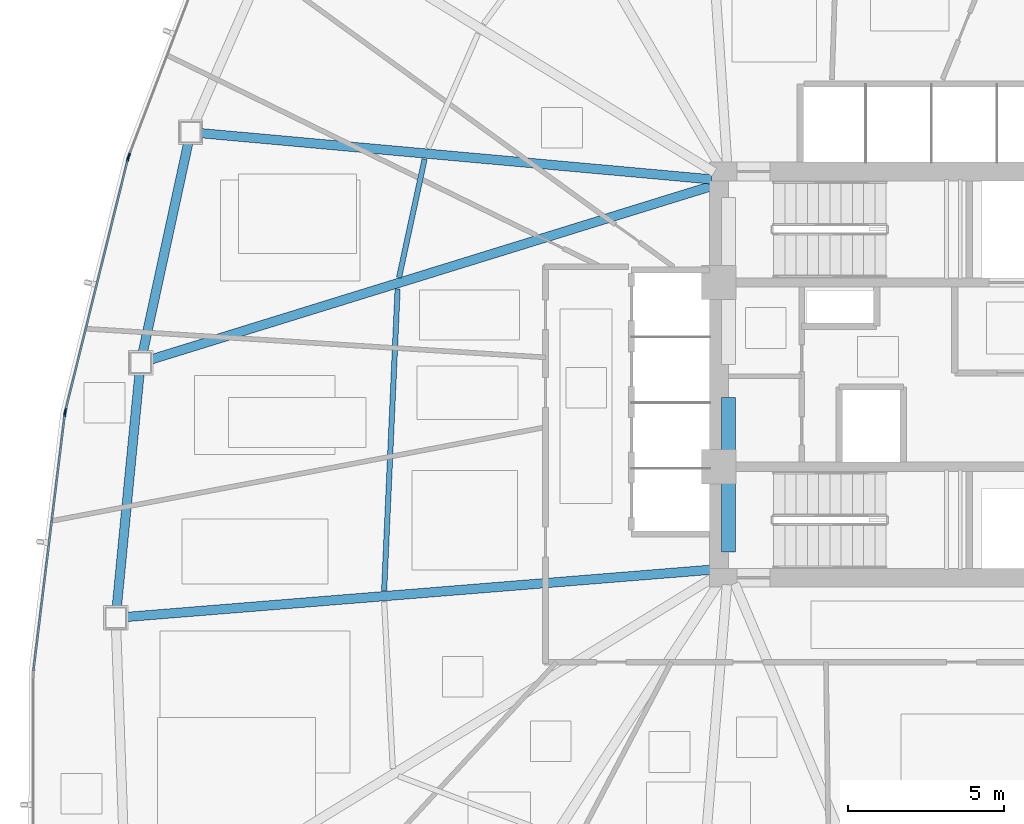
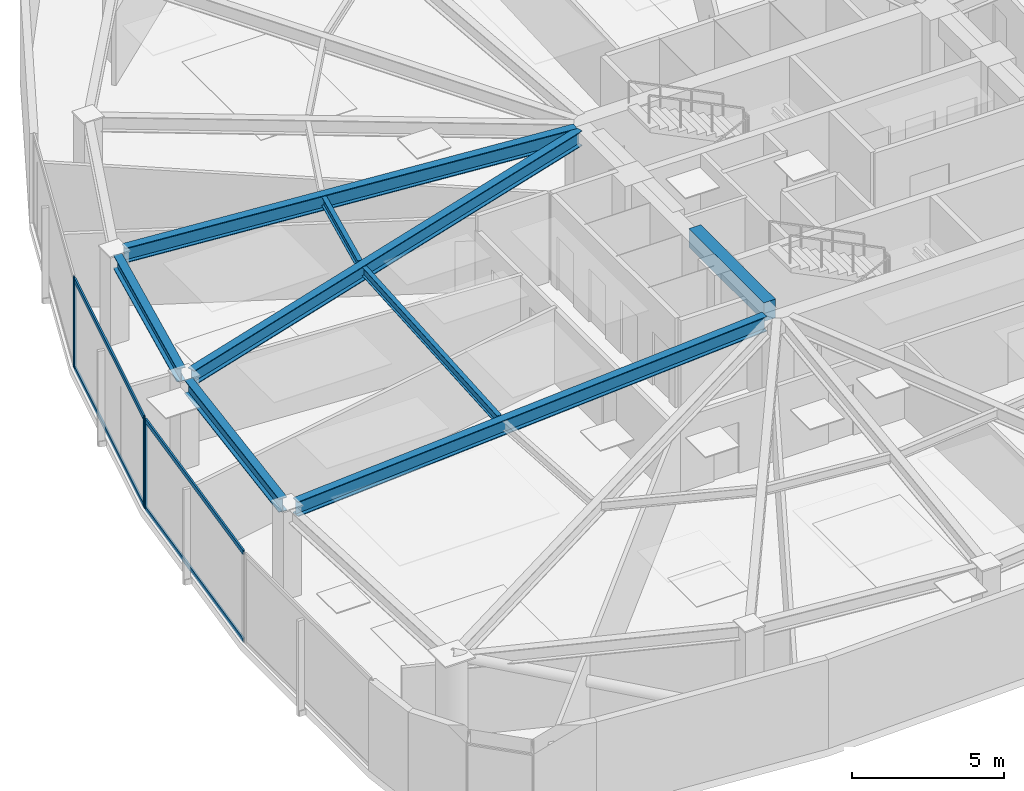
# One storey, part 4 of 17: 8 beams, 8 members, 3 elements without a shape of their own.
"""IFC4 building model written with IfcOpenShell, lengths in metres."""

from ifc_helpers import new_model, si_unit, direction, frame, origin, origin_2d, place, context, subcontext, project, spatial, rectangle, hollow_rectangle, i_section, extrude, source, transform, mapped, material, layer, layer_set, material_profile, profile_set, type_object, type_shapes, element, aggregate, save


model = new_model("IFC4")

# Units and contexts
model_context = context("Model", 3, precision=1e-05, world=origin(), true_north=direction((0.0, 1.0)))
body_context = subcontext(model_context, "Body", "Model", "MODEL_VIEW")
ifc_project = project(units=[si_unit("LENGTHUNIT", "METRE"), si_unit("AREAUNIT", "SQUARE_METRE"), si_unit("VOLUMEUNIT", "CUBIC_METRE"), si_unit("PLANEANGLEUNIT", "RADIAN"), si_unit("MASSUNIT", "GRAM", prefix="KILO")], contexts=[model_context])

# Site, building, storey
site_placement = place(None, origin())
site = spatial("IfcSite", under=ifc_project, at=site_placement, CompositionType="ELEMENT")
building_placement = place(site_placement, origin())
building = spatial("IfcBuilding", under=site, at=building_placement, Name="Tavelor Broadcast Tower", CompositionType="ELEMENT")
storey_placement = place(building_placement, frame((0.0, 0.0, 78.300048828125)))
storey = spatial("IfcBuildingStorey", under=building, at=storey_placement, Name="L18", CompositionType="ELEMENT", Elevation=78.300048828125)

# Beams
ifc_material_1 = material(Name="Concrete C40/50", Category="concrete")
ifc_material_profile_1 = material_profile(ifc_material_1, rectangle(XDim=0.449951171875, YDim=0.75, at=origin_2d()), Name="RC 450x750")
ifc_profile_set_1 = profile_set([ifc_material_profile_1], Name="Concrete C40/50")
beam_type_1 = type_object("IfcBeamType", Name="Basement Core Trim Beam 450x750", PredefinedType="BEAM", material=ifc_profile_set_1)
beam_1_placement = place(storey_placement, frame((43.39990234375, 39.327880859375, 3.224853515625), z_axis=(0.0, 1.0, 0.0), x_axis=(-1.0, 0.0, 0.0)))
element("IfcBeam", 1, at=beam_1_placement, inside=storey, type_object=beam_type_1, Name="L18 Core West-S Tie Girder", PredefinedType="BEAM", context=body_context, shape_type="SweptSolid", body=[
    extrude(rectangle(XDim=0.449951171875, YDim=0.75, at=origin_2d()), origin(), (0.0, 0.0, 1.0), 4.944091796875),
])
ifc_material_2 = material(Name="Steel S355", Category="steel")
ifc_material_profile_2 = material_profile(ifc_material_2, i_section(OverallWidth=0.169921875, OverallDepth=0.360107421875, WebThickness=0.008056640625, FlangeThickness=0.0126953125, at=origin_2d()), Name="IPE 360")
ifc_profile_set_2 = profile_set([ifc_material_profile_2], Name="Steel S355")
beam_type_2 = type_object("IfcBeamType", Name="Composite Floor Joist T2 IPE 360", PredefinedType="JOIST", material=ifc_profile_set_2)
beam_2_placement = place(storey_placement, frame((33.679931640625, 51.899658203125, 3.419921875), z_axis=(-0.210632825907, -0.97756524726, 0.0), x_axis=(0.97756524726, -0.210632825907, 0.0)))
element("IfcBeam", 2, at=beam_2_placement, inside=storey, type_object=beam_type_2, Name="L18 Secondary Composite Floor Joist 04", PredefinedType="JOIST", context=body_context, shape_type="SweptSolid", body=[
    extrude(i_section(OverallWidth=0.169921875, OverallDepth=0.360107421875, WebThickness=0.008056640625, FlangeThickness=0.0126953125, at=origin_2d()), origin(), (0.0, 0.0, 1.0), 3.8818359375),
])
beam_3_placement = place(storey_placement, frame((32.816162109375, 47.747314453125, 3.419921875), z_axis=(-0.044602263152, -0.999004823873, 0.0), x_axis=(0.999004823873, -0.044602263152, 0.0)))
element("IfcBeam", 3, at=beam_3_placement, inside=storey, type_object=beam_type_2, Name="L18 Secondary Composite Floor Joist 05", PredefinedType="JOIST", context=body_context, shape_type="SweptSolid", body=[
    extrude(i_section(OverallWidth=0.169921875, OverallDepth=0.360107421875, WebThickness=0.008056640625, FlangeThickness=0.0126953125, at=origin_2d()), origin(), (0.0, 0.0, 1.0), 9.66650390625),
])
ifc_material_profile_3 = material_profile(ifc_material_2, i_section(OverallWidth=0.300048828125, OverallDepth=0.550048828125, WebThickness=0.014892578125, FlangeThickness=0.029052734375, at=origin_2d()), Name="HEB 550")
ifc_profile_set_3 = profile_set([ifc_material_profile_3], Name="Steel S355")
beam_type_3 = type_object("IfcBeamType", Name="Perimeter Spandrel Beam T2 HEB 550", PredefinedType="SPANDREL", material=ifc_profile_set_3)
beam_4_placement = place(storey_placement, frame((26.1181640625, 52.4296875, 3.324951171875), z_axis=(-0.211875421449, -0.977296682582, 0.0), x_axis=(0.977296682582, -0.211875421449, 0.0)))
element("IfcBeam", 4, at=beam_4_placement, inside=storey, type_object=beam_type_3, Name="L18 Framed-Tube Ring Spandrel 04", PredefinedType="SPANDREL", context=body_context, shape_type="SweptSolid", body=[
    extrude(i_section(OverallWidth=0.300048828125, OverallDepth=0.550048828125, WebThickness=0.014892578125, FlangeThickness=0.029052734375, at=origin_2d()), origin(), (0.0, 0.0, 1.0), 6.876708984375),
])
beam_5_placement = place(storey_placement, frame((24.557373046875, 45.04638671875, 3.324951171875), z_axis=(-0.096929220198, -0.9952912771, 0.0), x_axis=(0.9952912771, -0.096929220198, 0.0)))
element("IfcBeam", 5, at=beam_5_placement, inside=storey, type_object=beam_type_3, Name="L18 Framed-Tube Ring Spandrel 05", PredefinedType="SPANDREL", context=body_context, shape_type="SweptSolid", body=[
    extrude(i_section(OverallWidth=0.300048828125, OverallDepth=0.550048828125, WebThickness=0.014892578125, FlangeThickness=0.029052734375, at=origin_2d()), origin(), (0.0, 0.0, 1.0), 7.531005859375),
])
ifc_material_profile_4 = material_profile(ifc_material_2, i_section(OverallWidth=0.300048828125, OverallDepth=0.60009765625, WebThickness=0.015380859375, FlangeThickness=0.030029296875, at=origin_2d()), Name="HEB 600")
ifc_profile_set_4 = profile_set([ifc_material_profile_4], Name="Steel S355")
beam_type_4 = type_object("IfcBeamType", Name="Radial Floor Girder T2 HEB 600", PredefinedType="BEAM", material=ifc_profile_set_4)
beam_6_placement = place(storey_placement, frame((42.874267578125, 51.24755859375, 3.300048828125), z_axis=(-0.99592702313, 0.090162989073, 0.0), x_axis=(-0.090162989073, -0.99592702313, 0.0)))
element("IfcBeam", 6, at=beam_6_placement, inside=storey, type_object=beam_type_4, Name="L18 Radial Primary Floor Girder 04", PredefinedType="BEAM", context=body_context, shape_type="SweptSolid", body=[
    extrude(i_section(OverallWidth=0.300048828125, OverallDepth=0.60009765625, WebThickness=0.015380859375, FlangeThickness=0.030029296875, at=origin_2d()), origin(), (0.0, 0.0, 1.0), 16.417236328125),
])
beam_7_placement = place(storey_placement, frame((42.8955078125, 51.0439453125, 3.300048828125), z_axis=(-0.9553264377, -0.295552698231, 0.0), x_axis=(0.295552698231, -0.9553264377, 0.0)))
element("IfcBeam", 7, at=beam_7_placement, inside=storey, type_object=beam_type_4, Name="L18 Radial Primary Floor Girder 05", PredefinedType="BEAM", context=body_context, shape_type="SweptSolid", body=[
    extrude(i_section(OverallWidth=0.300048828125, OverallDepth=0.60009765625, WebThickness=0.015380859375, FlangeThickness=0.030029296875, at=origin_2d()), origin(), (0.0, 0.0, 1.0), 18.82568359375),
])
beam_8_placement = place(storey_placement, frame((42.873779296875, 38.757568359375, 3.300048828125), z_axis=(-0.996753141144, -0.080518169498, 0.0), x_axis=(0.080518169498, -0.996753141144, 0.0)))
element("IfcBeam", 8, at=beam_8_placement, inside=storey, type_object=beam_type_4, Name="L18 Radial Primary Floor Girder 06", PredefinedType="BEAM", context=body_context, shape_type="SweptSolid", body=[
    extrude(i_section(OverallWidth=0.300048828125, OverallDepth=0.60009765625, WebThickness=0.015380859375, FlangeThickness=0.030029296875, at=origin_2d()), origin(), (0.0, 0.0, 1.0), 18.80517578125),
])

# Curtain wall, member
ifc_material_3 = material(Name="Architectural Anodized Aluminium", Category="aluminium")
ifc_layer = layer(ifc_material_3, 0.179931640625)
ifc_layer_set = layer_set([ifc_layer], Name="Architectural Anodized Aluminium")
curtain_wall_type = type_object("IfcCurtainWallType", Name="Tower Low-Zone Unitised Curtain Wall CW02", PredefinedType="NOTDEFINED", material=ifc_layer_set)
curtain_wall_1_placement = place(storey_placement, origin())
curtain_wall_1 = element("IfcCurtainWall", 9, at=curtain_wall_1_placement, inside=storey, type_object=curtain_wall_type, Name="L18 Curtain Wall CW02 Run 169", PredefinedType="NOTDEFINED")
ifc_material_profile_5 = material_profile(ifc_material_3, hollow_rectangle(XDim=0.06494140625, YDim=0.179931640625, WallThickness=0.02197265625, at=origin_2d()), Name="RHS 65x180x22")
ifc_profile_set_5 = profile_set([ifc_material_profile_5], Name="Architectural Anodized Aluminium")
member_type_1 = type_object("IfcMemberType", Name="CW02 Extruded Aluminium Mullion 65x180", PredefinedType="MULLION", material=ifc_profile_set_5)
shared_shape_1 = source(origin(), body_context, "Body", "SweptSolid", [
    extrude(hollow_rectangle(XDim=0.06494140625, YDim=0.179931640625, WallThickness=0.02197265625, at=origin_2d()), origin(), (0.0, 0.0, 1.0), 3.599853515625),
])
type_shapes(member_type_1, [shared_shape_1])
member_1_placement = place(storey_placement, frame((24.2158203125, 52.001708984375, 0.0), z_axis=(0.0, 0.0, 1.0), x_axis=(0.934359618061, -0.356331452636, 0.0)))
member_1 = element("IfcMember", 10, at=member_1_placement, type_object=member_type_1, Name="CW02 mullion 2", PredefinedType="MULLION", context=body_context, shape_type="MappedRepresentation", body=[
    mapped(shared_shape_1, transform((0.0, 0.0, 0.0), scale=1.0)),
])
aggregate(curtain_wall_1, [member_1])

# Curtain wall, members
curtain_wall_2_placement = place(storey_placement, origin())
curtain_wall_2 = element("IfcCurtainWall", 11, at=curtain_wall_2_placement, inside=storey, type_object=curtain_wall_type, Name="L18 Curtain Wall CW02 Run 170", PredefinedType="NOTDEFINED")
member_2_placement = place(storey_placement, frame((24.1875, 51.911376953125, 0.0), z_axis=(0.0, 0.0, 1.0), x_axis=(0.970611417327, -0.240652190007, 0.0)))
member_2 = element("IfcMember", 12, at=member_2_placement, type_object=member_type_1, Name="CW02 mullion 1", PredefinedType="MULLION", context=body_context, shape_type="MappedRepresentation", body=[
    mapped(shared_shape_1, transform((0.0, 0.0, 0.0), scale=1.0)),
])
member_3_placement = place(storey_placement, frame((22.185302734375, 43.8359375, 0.0), z_axis=(0.0, 0.0, 1.0), x_axis=(0.970611417327, -0.240652190007, 0.0)))
member_3 = element("IfcMember", 13, at=member_3_placement, type_object=member_type_1, Name="CW02 mullion 2", PredefinedType="MULLION", context=body_context, shape_type="MappedRepresentation", body=[
    mapped(shared_shape_1, transform((0.0, 0.0, 0.0), scale=1.0)),
])

# Curtain wall, member
curtain_wall_3_placement = place(storey_placement, origin())
curtain_wall_3 = element("IfcCurtainWall", 14, at=curtain_wall_3_placement, inside=storey, type_object=curtain_wall_type, Name="L18 Curtain Wall CW02 Run 171", PredefinedType="NOTDEFINED")
member_4_placement = place(storey_placement, frame((22.168212890625, 43.742919921875, 0.0), z_axis=(0.0, 0.0, 1.0), x_axis=(0.992601033639, -0.12142153029, 0.0)))
member_4 = element("IfcMember", 15, at=member_4_placement, type_object=member_type_1, Name="CW02 mullion 1", PredefinedType="MULLION", context=body_context, shape_type="MappedRepresentation", body=[
    mapped(shared_shape_1, transform((0.0, 0.0, 0.0), scale=1.0)),
])

# Member
ifc_material_profile_6 = material_profile(ifc_material_3, hollow_rectangle(XDim=0.06494140625, YDim=0.179931640625, WallThickness=0.02197265625, at=origin_2d()), Name="RHS 65x180x22")
ifc_profile_set_6 = profile_set([ifc_material_profile_6], Name="Architectural Anodized Aluminium")
member_type_2 = type_object("IfcMemberType", Name="CW02 Extruded Aluminium Transom 65x180", PredefinedType="USERDEFINED", material=ifc_profile_set_6)
shared_shape_2 = source(origin(), body_context, "Body", "SweptSolid", [
    extrude(hollow_rectangle(XDim=0.06494140625, YDim=0.179931640625, WallThickness=0.02197265625, at=origin_2d()), origin(), (0.0, 0.0, 1.0), 8.254638671875),
])
member_5_placement = place(storey_placement, frame((24.1796875, 51.879638671875, 0.032470703125), z_axis=(-0.240663161401, -0.970608697027, 0.0), x_axis=(0.970608697027, -0.240663161401, 0.0)))
member_5 = element("IfcMember", 16, at=member_5_placement, type_object=member_type_2, Name="CW02 transom 1.1", ObjectType="TRANSOM", PredefinedType="USERDEFINED", context=body_context, shape_type="MappedRepresentation", body=[
    mapped(shared_shape_2, transform((0.0, 0.0, 0.0), scale=1.0)),
])

member_6_placement = place(storey_placement, frame((24.1796875, 51.879638671875, 3.5673828125), z_axis=(-0.240663161401, -0.970608697027, 0.0), x_axis=(0.970608697027, -0.240663161401, 0.0)))
member_6 = element("IfcMember", 17, at=member_6_placement, type_object=member_type_2, Name="CW02 transom 1.2", ObjectType="TRANSOM", PredefinedType="USERDEFINED", context=body_context, shape_type="MappedRepresentation", body=[
    mapped(shared_shape_2, transform((0.0, 0.0, 0.0), scale=1.0)),
])

aggregate(curtain_wall_2, [member_2, member_3, member_5, member_6])

shared_shape_3 = source(origin(), body_context, "Body", "SweptSolid", [
    extrude(hollow_rectangle(XDim=0.06494140625, YDim=0.179931640625, WallThickness=0.02197265625, at=origin_2d()), origin(), (0.0, 0.0, 1.0), 8.2548828125),
])
type_shapes(member_type_2, [shared_shape_2, shared_shape_3])
member_7_placement = place(storey_placement, frame((22.164306640625, 43.710693359375, 0.032470703125), z_axis=(-0.121435340775, -0.992599344152, 0.0), x_axis=(0.992599344152, -0.121435340775, 0.0)))
member_7 = element("IfcMember", 18, at=member_7_placement, type_object=member_type_2, Name="CW02 transom 1.1", ObjectType="TRANSOM", PredefinedType="USERDEFINED", context=body_context, shape_type="MappedRepresentation", body=[
    mapped(shared_shape_3, transform((0.0, 0.0, 0.0), scale=1.0)),
])

member_8_placement = place(storey_placement, frame((22.164306640625, 43.710693359375, 3.5673828125), z_axis=(-0.121435340775, -0.992599344152, 0.0), x_axis=(0.992599344152, -0.121435340775, 0.0)))
member_8 = element("IfcMember", 19, at=member_8_placement, type_object=member_type_2, Name="CW02 transom 1.2", ObjectType="TRANSOM", PredefinedType="USERDEFINED", context=body_context, shape_type="MappedRepresentation", body=[
    mapped(shared_shape_3, transform((0.0, 0.0, 0.0), scale=1.0)),
])

aggregate(curtain_wall_3, [member_4, member_7, member_8])

save(model, "model.ifc")
